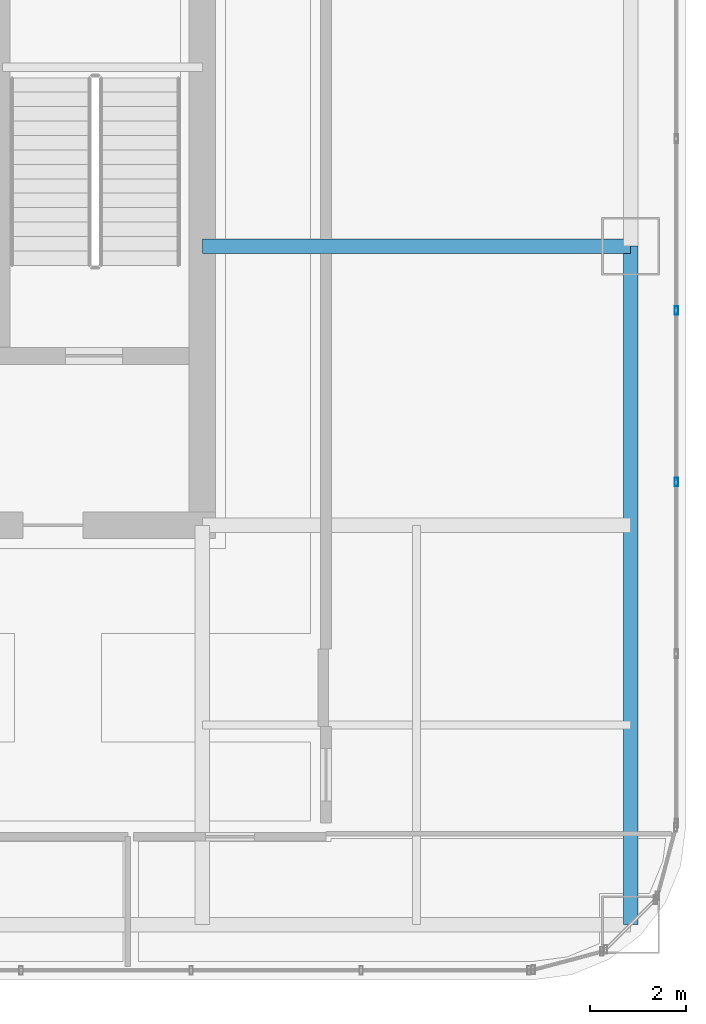
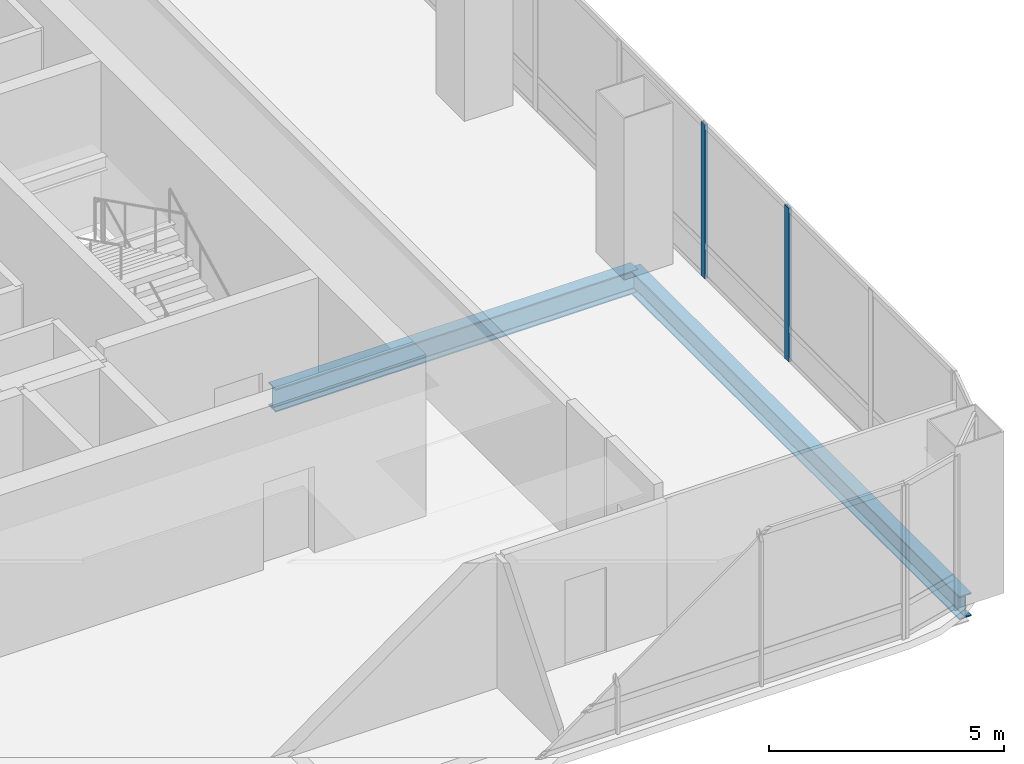
# One storey, part 17 of 42: 2 beams, 2 members, 1 element without a shape of its own.
"""IFC4 building model written with IfcOpenShell, lengths in metres."""

from ifc_helpers import new_model, si_unit, direction, frame, origin, origin_2d, place, context, subcontext, project, spatial, hollow_rectangle, i_section, extrude, material, material_profile, profile_set, type_object, element, aggregate, save


model = new_model("IFC4")

# Units and contexts
model_context = context("Model", 3, precision=1e-05, world=origin(), true_north=direction((0.0, 1.0)))
body_context = subcontext(model_context, "Body", "Model", "MODEL_VIEW")
ifc_project = project(units=[si_unit("LENGTHUNIT", "METRE"), si_unit("AREAUNIT", "SQUARE_METRE"), si_unit("VOLUMEUNIT", "CUBIC_METRE"), si_unit("PLANEANGLEUNIT", "RADIAN"), si_unit("MASSUNIT", "GRAM", prefix="KILO")], contexts=[model_context])

# Site, building, storey
site_placement = place(None, origin())
site = spatial("IfcSite", under=ifc_project, at=site_placement, CompositionType="ELEMENT")
building_placement = place(site_placement, origin())
building = spatial("IfcBuilding", under=site, at=building_placement, Name="Punatoya Terracotta Tower", CompositionType="ELEMENT")
storey_placement = place(building_placement, frame((0.0, 0.0, 296.39990234375)))
storey = spatial("IfcBuildingStorey", under=building, at=storey_placement, Name="L70", CompositionType="ELEMENT", Elevation=296.39990234375)

# Beams
ifc_material_1 = material(Name="Steel S355", Category="steel")
ifc_material_profile_1 = material_profile(ifc_material_1, i_section(OverallWidth=0.300048828125, OverallDepth=0.60009765625, WebThickness=0.015380859375, FlangeThickness=0.030029296875, FilletRadius=0.01806640625, at=origin_2d()))
ifc_profile_set_1 = profile_set([ifc_material_profile_1], Name="Steel S355")
beam_type = type_object("IfcBeamType", Name="BM-PRI-600", PredefinedType="BEAM", material=ifc_profile_set_1)
beam_1_placement = place(storey_placement, frame((19.10009765625, -17.5, -0.5), z_axis=(0.0, 1.0, 0.0), x_axis=(-1.0, 0.0, 0.0)))
element("IfcBeam", 1, at=beam_1_placement, inside=storey, type_object=beam_type, Name="BM-L70-RG-E1", PredefinedType="BEAM", context=body_context, shape_type="SweptSolid", body=[
    extrude(i_section(OverallWidth=0.300048828125, OverallDepth=0.60009765625, WebThickness=0.015380859375, FlangeThickness=0.030029296875, FilletRadius=0.01806640625, at=origin_2d()), origin(), (0.0, 0.0, 1.0), 14.10009765625),
])
beam_2_placement = place(storey_placement, frame((10.199951171875, -3.39990234375, -0.5), z_axis=(1.0, 0.0, 0.0), x_axis=(0.0, 1.0, 0.0)))
element("IfcBeam", 2, at=beam_2_placement, inside=storey, type_object=beam_type, Name="BM-L70-PR-ED", PredefinedType="BEAM", context=body_context, shape_type="SweptSolid", body=[
    extrude(i_section(OverallWidth=0.300048828125, OverallDepth=0.60009765625, WebThickness=0.015380859375, FlangeThickness=0.030029296875, FilletRadius=0.01806640625, at=origin_2d()), origin(), (0.0, 0.0, 1.0), 8.900146484375),
])

# Curtain wall, members
ifc_material_2 = material(Name="Aluminium 6063-T6 + Double Low-E Glass", Category="aluminium")
curtain_wall_type = type_object("IfcCurtainWallType", Name="CW-M3", PredefinedType="NOTDEFINED", material=ifc_material_2)
curtain_wall_placement = place(storey_placement, origin())
curtain_wall = element("IfcCurtainWall", 3, at=curtain_wall_placement, inside=storey, type_object=curtain_wall_type, Name="L70 Curtain Wall CW-L70-E05-1", PredefinedType="NOTDEFINED")
ifc_material_3 = material(Name="Aluminium 6063-T6", Category="aluminium")
ifc_material_profile_2 = material_profile(ifc_material_3, hollow_rectangle(XDim=0.070068359375, YDim=0.179931640625, WallThickness=0.00390625, at=origin_2d()))
ifc_profile_set_2 = profile_set([ifc_material_profile_2], Name="Aluminium 6063-T6")
member_type = type_object("IfcMemberType", Name="CW-MUL-M3", PredefinedType="MULLION", material=ifc_profile_set_2)
member_1_placement = place(storey_placement, frame((20.050048828125, -8.302001953125, 0.0), z_axis=(0.0, 0.0, 1.0), x_axis=(1.0, 0.0, 0.0)))
member_1 = element("IfcMember", 4, at=member_1_placement, type_object=member_type, Name="CW-L70-E05-1 Mullion 02", PredefinedType="MULLION", context=body_context, shape_type="SweptSolid", body=[
    extrude(hollow_rectangle(XDim=0.070068359375, YDim=0.179931640625, WallThickness=0.00390625, at=origin_2d()), origin(), (0.0, 0.0, 1.0), 4.0),
])
member_2_placement = place(storey_placement, frame((20.050048828125, -4.73486328125, 0.0), z_axis=(0.0, 0.0, 1.0), x_axis=(1.0, 0.0, 0.0)))
member_2 = element("IfcMember", 5, at=member_2_placement, type_object=member_type, Name="CW-L70-E05-1 Mullion 03", PredefinedType="MULLION", context=body_context, shape_type="SweptSolid", body=[
    extrude(hollow_rectangle(XDim=0.070068359375, YDim=0.179931640625, WallThickness=0.00390625, at=origin_2d()), origin(), (0.0, 0.0, 1.0), 4.0),
])
aggregate(curtain_wall, [member_1, member_2])

save(model, "model.ifc")
